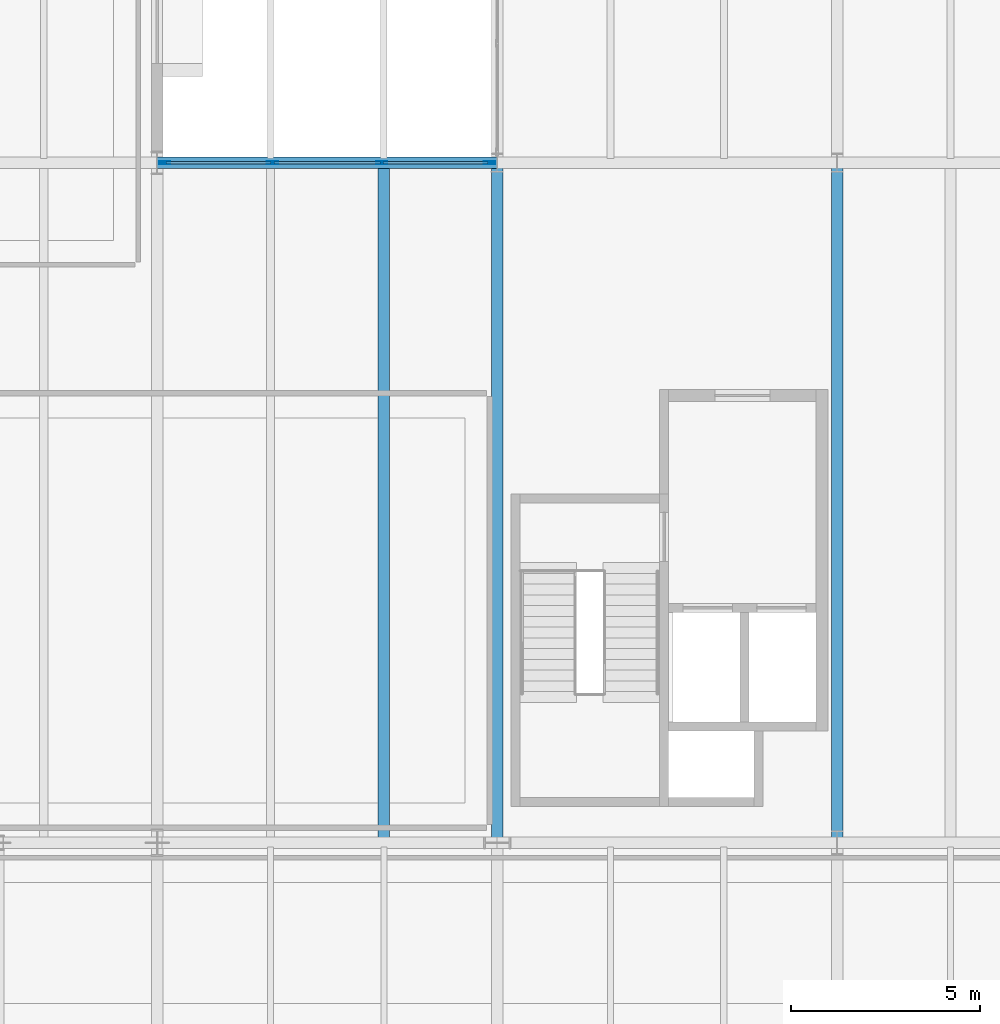
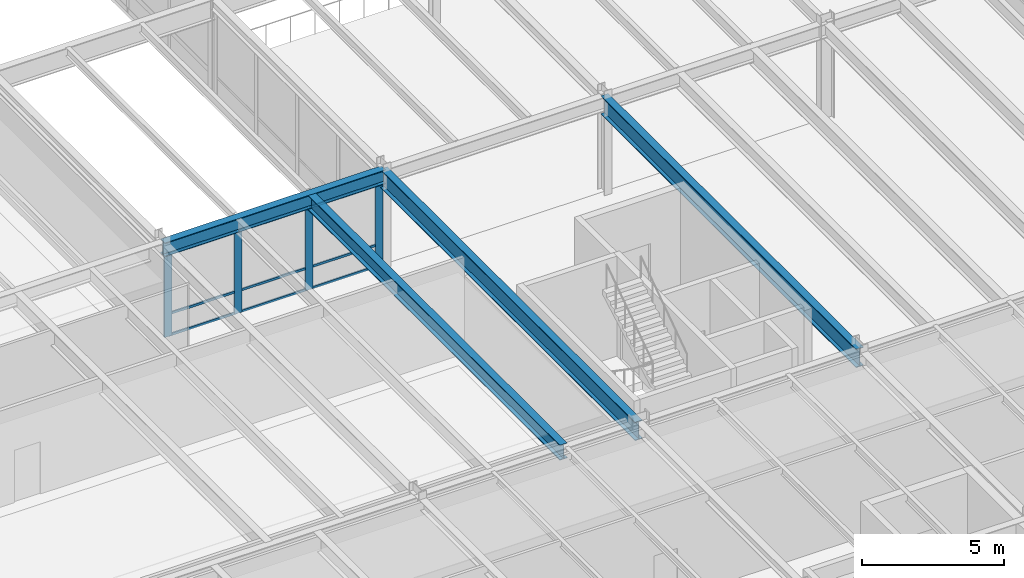
# One storey, part 25 of 127: 13 members, 4 beams, 1 element without a shape of its own.
"""IFC4 building model written with IfcOpenShell, lengths in metres."""

from ifc_helpers import new_model, si_unit, direction, frame, origin, origin_2d, place, context, subcontext, project, spatial, hollow_rectangle, i_section, extrude, material, layer, layer_set, material_profile, profile_set, type_object, element, aggregate, save


model = new_model("IFC4")

# Units and contexts
model_context = context("Model", 3, precision=1e-05, world=origin(), true_north=direction((0.0, 1.0)))
body_context = subcontext(model_context, "Body", "Model", "MODEL_VIEW")
ifc_project = project(units=[si_unit("LENGTHUNIT", "METRE"), si_unit("AREAUNIT", "SQUARE_METRE"), si_unit("VOLUMEUNIT", "CUBIC_METRE"), si_unit("PLANEANGLEUNIT", "RADIAN"), si_unit("MASSUNIT", "GRAM", prefix="KILO")], contexts=[model_context])

# Site, building, storey
site_placement = place(None, origin())
site = spatial("IfcSite", under=ifc_project, at=site_placement, CompositionType="ELEMENT")
building_placement = place(site_placement, origin())
building = spatial("IfcBuilding", under=site, at=building_placement, Name="Montelvaro Courts of Justice", CompositionType="ELEMENT")
storey_placement = place(building_placement, frame((0.0, 0.0, 5.39990234375)))
storey = spatial("IfcBuildingStorey", under=building, at=storey_placement, Name="L01", CompositionType="ELEMENT", Elevation=5.39990234375)

# Beams
ifc_material_1 = material(Name="Steel S355", Category="steel")
ifc_material_profile_1 = material_profile(ifc_material_1, i_section(OverallWidth=0.300048828125, OverallDepth=0.7900390625, WebThickness=0.014892578125, FlangeThickness=0.028076171875, at=origin_2d()), Name="HEA 800")
ifc_profile_set_1 = profile_set([ifc_material_profile_1], Name="Steel S355")
beam_type_1 = type_object("IfcBeamType", Name="Beam_HEA800", PredefinedType="USERDEFINED", material=ifc_profile_set_1)
beam_1_placement = place(storey_placement, frame((54.0, 24.0, 3.76513671875), z_axis=(0.0, 1.0, 0.0), x_axis=(-1.0, 0.0, 0.0)))
element("IfcBeam", 1, at=beam_1_placement, inside=storey, type_object=beam_type_1, Name="Beam B-24 L01", ObjectType="GIRDER", PredefinedType="USERDEFINED", context=body_context, shape_type="SweptSolid", body=[
    extrude(i_section(OverallWidth=0.300048828125, OverallDepth=0.7900390625, WebThickness=0.014892578125, FlangeThickness=0.028076171875, at=origin_2d()), origin(), (0.0, 0.0, 1.0), 18.0),
])
ifc_material_profile_2 = material_profile(ifc_material_1, i_section(OverallWidth=0.300048828125, OverallDepth=0.60009765625, WebThickness=0.015380859375, FlangeThickness=0.030029296875, at=origin_2d()), Name="HEB 600")
ifc_profile_set_2 = profile_set([ifc_material_profile_2], Name="Steel S355")
beam_type_2 = type_object("IfcBeamType", Name="Beam_HEB600", PredefinedType="USERDEFINED", material=ifc_profile_set_2)
beam_2_placement = place(storey_placement, frame((45.0, 42.0, 3.860107421875), z_axis=(1.0, 0.0, 0.0), x_axis=(0.0, 1.0, 0.0)))
element("IfcBeam", 2, at=beam_2_placement, inside=storey, type_object=beam_type_2, Name="Beam B-26 L01", ObjectType="GIRDER", PredefinedType="USERDEFINED", context=body_context, shape_type="SweptSolid", body=[
    extrude(i_section(OverallWidth=0.300048828125, OverallDepth=0.60009765625, WebThickness=0.015380859375, FlangeThickness=0.030029296875, at=origin_2d()), origin(), (0.0, 0.0, 1.0), 9.0),
])
ifc_material_profile_3 = material_profile(ifc_material_1, i_section(OverallWidth=0.300048828125, OverallDepth=0.64990234375, WebThickness=0.01611328125, FlangeThickness=0.031005859375, at=origin_2d()), Name="HEB 650")
ifc_profile_set_3 = profile_set([ifc_material_profile_3], Name="Steel S355")
beam_type_3 = type_object("IfcBeamType", Name="Beam_HEB650", PredefinedType="USERDEFINED", material=ifc_profile_set_3)
beam_3_placement = place(storey_placement, frame((51.0, 24.110107421875, 3.835205078125), z_axis=(0.0, 1.0, 0.0), x_axis=(-1.0, 0.0, 0.0)))
element("IfcBeam", 3, at=beam_3_placement, inside=storey, type_object=beam_type_3, Name="Beam B-27 L01", ObjectType="GIRDER", PredefinedType="USERDEFINED", context=body_context, shape_type="SweptSolid", body=[
    extrude(i_section(OverallWidth=0.300048828125, OverallDepth=0.64990234375, WebThickness=0.01611328125, FlangeThickness=0.031005859375, at=origin_2d()), origin(), (0.0, 0.0, 1.0), 17.77978515625),
])
ifc_material_profile_4 = material_profile(ifc_material_1, i_section(OverallWidth=0.300048828125, OverallDepth=0.800048828125, WebThickness=0.017578125, FlangeThickness=0.032958984375, at=origin_2d()), Name="HEB 800")
ifc_profile_set_4 = profile_set([ifc_material_profile_4], Name="Steel S355")
beam_type_4 = type_object("IfcBeamType", Name="Beam_HEB800", PredefinedType="USERDEFINED", material=ifc_profile_set_4)
beam_4_placement = place(storey_placement, frame((63.0, 24.0, 3.760009765625), z_axis=(0.0, 1.0, 0.0), x_axis=(-1.0, 0.0, 0.0)))
element("IfcBeam", 4, at=beam_4_placement, inside=storey, type_object=beam_type_4, Name="Beam B-29 L01", ObjectType="GIRDER", PredefinedType="USERDEFINED", context=body_context, shape_type="SweptSolid", body=[
    extrude(i_section(OverallWidth=0.300048828125, OverallDepth=0.800048828125, WebThickness=0.017578125, FlangeThickness=0.032958984375, at=origin_2d()), origin(), (0.0, 0.0, 1.0), 18.0),
])

# Curtain wall, members
ifc_material_2 = material(Name="Anodised aluminium EN AW-6063", Category="aluminium")
ifc_layer = layer(ifc_material_2, 0.159912109375)
ifc_layer_set = layer_set([ifc_layer], Name="Anodised aluminium EN AW-6063")
curtain_wall_type = type_object("IfcCurtainWallType", Name="CurtainWall_14_867x418", PredefinedType="USERDEFINED", material=ifc_layer_set)
curtain_wall_placement = place(storey_placement, origin())
curtain_wall = element("IfcCurtainWall", 5, at=curtain_wall_placement, inside=storey, type_object=curtain_wall_type, Name="Curtain Wall CW-14 (L01)", ObjectType="CURTAIN WALL", PredefinedType="USERDEFINED")
ifc_material_profile_5 = material_profile(ifc_material_2, hollow_rectangle(XDim=0.074951171875, YDim=0.300048828125, WallThickness=0.006103515625, at=origin_2d()), Name="ALU-M 75x300")
ifc_profile_set_5 = profile_set([ifc_material_profile_5], Name="Anodised aluminium EN AW-6063")
member_type_1 = type_object("IfcMemberType", Name="CurtainWall_Mullion_75x300", PredefinedType="MULLION", material=ifc_profile_set_5)
member_1_placement = place(storey_placement, frame((53.797607421875, 42.0, 0.0), z_axis=(0.0, 0.0, 1.0), x_axis=(0.0, -1.0, 0.0)))
member_1 = element("IfcMember", 6, at=member_1_placement, type_object=member_type_1, Name="CW-14 mullion 1", PredefinedType="MULLION", context=body_context, shape_type="SweptSolid", body=[
    extrude(hollow_rectangle(XDim=0.074951171875, YDim=0.300048828125, WallThickness=0.006103515625, at=origin_2d()), origin(), (0.0, 0.0, 1.0), 3.55517578125),
])
member_2_placement = place(storey_placement, frame((50.945068359375, 42.0, 0.0), z_axis=(0.0, 0.0, 1.0), x_axis=(0.0, -1.0, 0.0)))
member_2 = element("IfcMember", 7, at=member_2_placement, type_object=member_type_1, Name="CW-14 mullion 2", PredefinedType="MULLION", context=body_context, shape_type="SweptSolid", body=[
    extrude(hollow_rectangle(XDim=0.074951171875, YDim=0.300048828125, WallThickness=0.006103515625, at=origin_2d()), origin(), (0.0, 0.0, 1.0), 3.55517578125),
])
member_3_placement = place(storey_placement, frame((48.054931640625, 42.0, 0.0), z_axis=(0.0, 0.0, 1.0), x_axis=(0.0, -1.0, 0.0)))
member_3 = element("IfcMember", 8, at=member_3_placement, type_object=member_type_1, Name="CW-14 mullion 3", PredefinedType="MULLION", context=body_context, shape_type="SweptSolid", body=[
    extrude(hollow_rectangle(XDim=0.074951171875, YDim=0.300048828125, WallThickness=0.006103515625, at=origin_2d()), origin(), (0.0, 0.0, 1.0), 3.55517578125),
])
member_4_placement = place(storey_placement, frame((45.202392578125, 42.0, 0.0), z_axis=(0.0, 0.0, 1.0), x_axis=(0.0, -1.0, 0.0)))
member_4 = element("IfcMember", 9, at=member_4_placement, type_object=member_type_1, Name="CW-14 mullion 4", PredefinedType="MULLION", context=body_context, shape_type="SweptSolid", body=[
    extrude(hollow_rectangle(XDim=0.074951171875, YDim=0.300048828125, WallThickness=0.006103515625, at=origin_2d()), origin(), (0.0, 0.0, 1.0), 3.55517578125),
])
ifc_material_profile_6 = material_profile(ifc_material_2, hollow_rectangle(XDim=0.06005859375, YDim=0.10009765625, WallThickness=0.00341796875, at=origin_2d()), Name="ALU-T 60x100")
ifc_profile_set_6 = profile_set([ifc_material_profile_6], Name="Anodised aluminium EN AW-6063")
member_type_2 = type_object("IfcMemberType", Name="CurtainWall_Transom_60x100", PredefinedType="USERDEFINED", material=ifc_profile_set_6)
member_5_placement = place(storey_placement, frame((53.760009765625, 42.0, 0.030029296875), z_axis=(-1.0, 0.0, 0.0), x_axis=(0.0, -1.0, 0.0)))
member_5 = element("IfcMember", 10, at=member_5_placement, type_object=member_type_2, Name="CW-14 transom 1.1", ObjectType="TRANSOM", PredefinedType="USERDEFINED", context=body_context, shape_type="SweptSolid", body=[
    extrude(hollow_rectangle(XDim=0.06005859375, YDim=0.10009765625, WallThickness=0.00341796875, at=origin_2d()), origin(), (0.0, 0.0, 1.0), 2.777587890625),
])
member_6_placement = place(storey_placement, frame((53.760009765625, 42.0, 0.9501953125), z_axis=(-1.0, 0.0, 0.0), x_axis=(0.0, -1.0, 0.0)))
member_6 = element("IfcMember", 11, at=member_6_placement, type_object=member_type_2, Name="CW-14 transom 1.2", ObjectType="TRANSOM", PredefinedType="USERDEFINED", context=body_context, shape_type="SweptSolid", body=[
    extrude(hollow_rectangle(XDim=0.06005859375, YDim=0.10009765625, WallThickness=0.00341796875, at=origin_2d()), origin(), (0.0, 0.0, 1.0), 2.777587890625),
])
member_7_placement = place(storey_placement, frame((53.760009765625, 42.0, 3.525146484375), z_axis=(-1.0, 0.0, 0.0), x_axis=(0.0, -1.0, 0.0)))
member_7 = element("IfcMember", 12, at=member_7_placement, type_object=member_type_2, Name="CW-14 transom 1.3", ObjectType="TRANSOM", PredefinedType="USERDEFINED", context=body_context, shape_type="SweptSolid", body=[
    extrude(hollow_rectangle(XDim=0.06005859375, YDim=0.10009765625, WallThickness=0.00341796875, at=origin_2d()), origin(), (0.0, 0.0, 1.0), 2.777587890625),
])
member_8_placement = place(storey_placement, frame((50.907470703125, 42.0, 0.030029296875), z_axis=(-1.0, 0.0, 0.0), x_axis=(0.0, -1.0, 0.0)))
member_8 = element("IfcMember", 13, at=member_8_placement, type_object=member_type_2, Name="CW-14 transom 2.1", ObjectType="TRANSOM", PredefinedType="USERDEFINED", context=body_context, shape_type="SweptSolid", body=[
    extrude(hollow_rectangle(XDim=0.06005859375, YDim=0.10009765625, WallThickness=0.00341796875, at=origin_2d()), origin(), (0.0, 0.0, 1.0), 2.81494140625),
])
member_9_placement = place(storey_placement, frame((50.907470703125, 42.0, 0.9501953125), z_axis=(-1.0, 0.0, 0.0), x_axis=(0.0, -1.0, 0.0)))
member_9 = element("IfcMember", 14, at=member_9_placement, type_object=member_type_2, Name="CW-14 transom 2.2", ObjectType="TRANSOM", PredefinedType="USERDEFINED", context=body_context, shape_type="SweptSolid", body=[
    extrude(hollow_rectangle(XDim=0.06005859375, YDim=0.10009765625, WallThickness=0.00341796875, at=origin_2d()), origin(), (0.0, 0.0, 1.0), 2.81494140625),
])
member_10_placement = place(storey_placement, frame((50.907470703125, 42.0, 3.525146484375), z_axis=(-1.0, 0.0, 0.0), x_axis=(0.0, -1.0, 0.0)))
member_10 = element("IfcMember", 15, at=member_10_placement, type_object=member_type_2, Name="CW-14 transom 2.3", ObjectType="TRANSOM", PredefinedType="USERDEFINED", context=body_context, shape_type="SweptSolid", body=[
    extrude(hollow_rectangle(XDim=0.06005859375, YDim=0.10009765625, WallThickness=0.00341796875, at=origin_2d()), origin(), (0.0, 0.0, 1.0), 2.81494140625),
])
member_11_placement = place(storey_placement, frame((48.017578125, 42.0, 0.030029296875), z_axis=(-1.0, 0.0, 0.0), x_axis=(0.0, -1.0, 0.0)))
member_11 = element("IfcMember", 16, at=member_11_placement, type_object=member_type_2, Name="CW-14 transom 3.1", ObjectType="TRANSOM", PredefinedType="USERDEFINED", context=body_context, shape_type="SweptSolid", body=[
    extrude(hollow_rectangle(XDim=0.06005859375, YDim=0.10009765625, WallThickness=0.00341796875, at=origin_2d()), origin(), (0.0, 0.0, 1.0), 2.777587890625),
])
member_12_placement = place(storey_placement, frame((48.017578125, 42.0, 0.9501953125), z_axis=(-1.0, 0.0, 0.0), x_axis=(0.0, -1.0, 0.0)))
member_12 = element("IfcMember", 17, at=member_12_placement, type_object=member_type_2, Name="CW-14 transom 3.2", ObjectType="TRANSOM", PredefinedType="USERDEFINED", context=body_context, shape_type="SweptSolid", body=[
    extrude(hollow_rectangle(XDim=0.06005859375, YDim=0.10009765625, WallThickness=0.00341796875, at=origin_2d()), origin(), (0.0, 0.0, 1.0), 2.777587890625),
])
member_13_placement = place(storey_placement, frame((48.017578125, 42.0, 3.525146484375), z_axis=(-1.0, 0.0, 0.0), x_axis=(0.0, -1.0, 0.0)))
member_13 = element("IfcMember", 18, at=member_13_placement, type_object=member_type_2, Name="CW-14 transom 3.3", ObjectType="TRANSOM", PredefinedType="USERDEFINED", context=body_context, shape_type="SweptSolid", body=[
    extrude(hollow_rectangle(XDim=0.06005859375, YDim=0.10009765625, WallThickness=0.00341796875, at=origin_2d()), origin(), (0.0, 0.0, 1.0), 2.777587890625),
])
aggregate(curtain_wall, [member_1, member_2, member_3, member_4, member_5, member_6, member_7, member_8, member_9, member_10, member_11, member_12, member_13])

save(model, "model.ifc")
